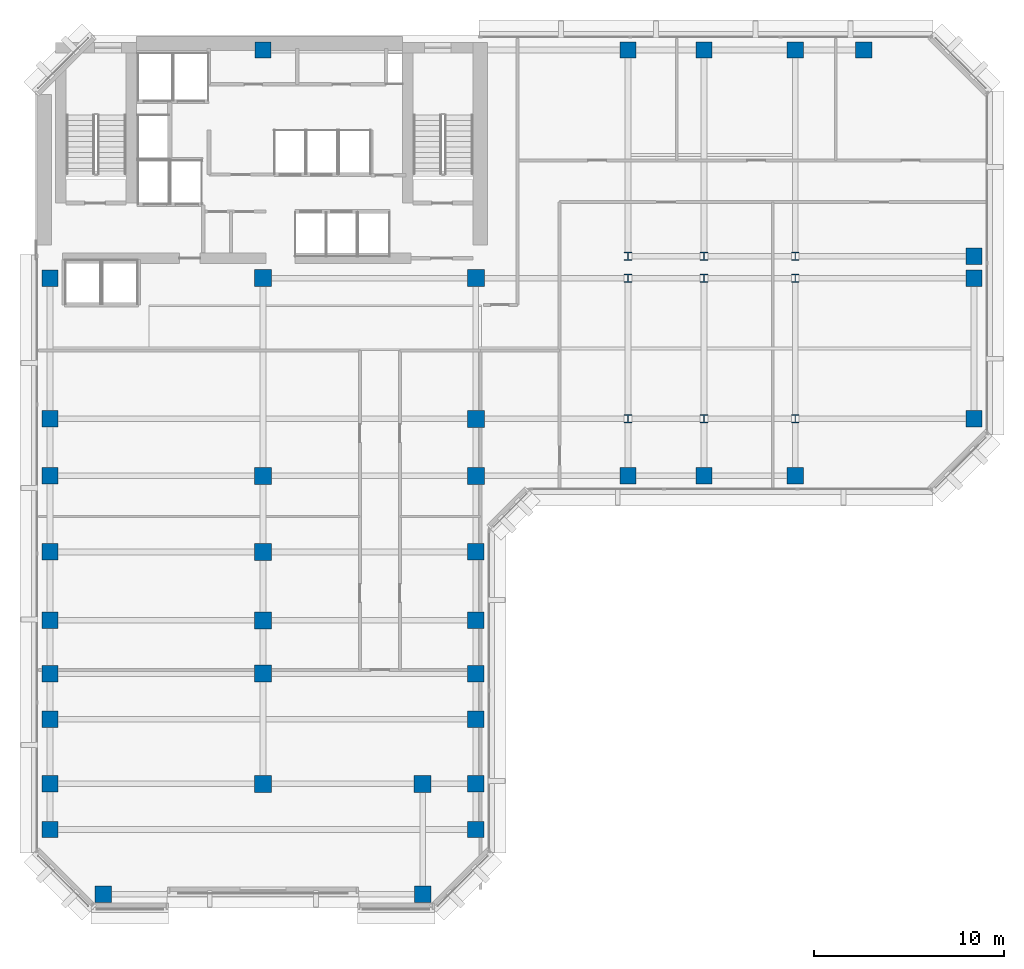
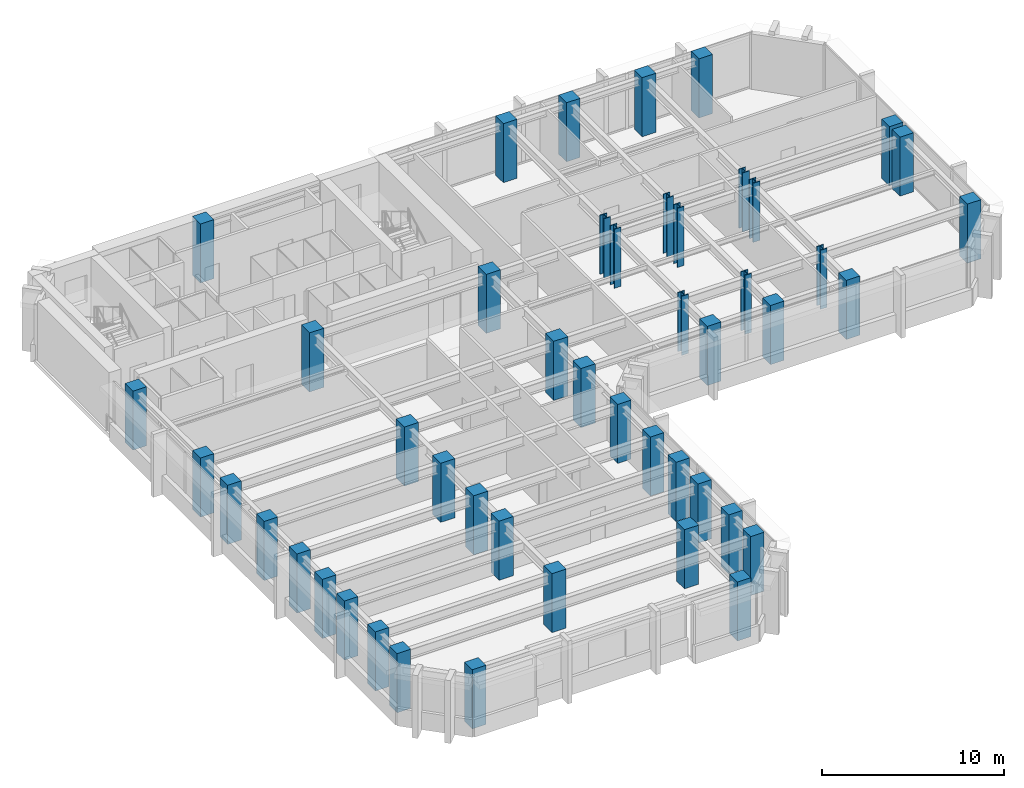
# One storey, part 1 of 11: 47 columns.
"""IFC4 building model written with IfcOpenShell, lengths in metres."""

import ifcopenshell
import ifcopenshell.guid

model = None  # the IFC model being written
_history = None  # IfcOwnerHistory: only IFC2X3 demands one
_inside = {}  # id of a spatial element -> (the spatial element, [elements in it])
_under = {}  # id of a project, library or spatial element -> (it, [spatial elements below it])
_declared = {}  # id of a project -> (the project, [libraries it declares])
_typed = {}  # id of a type object -> (the type object, [elements of that type])
_made_of = {}  # id of a material, layer set ... -> (it, [elements and type objects made of it])


def new_model(schema):
    """Start an empty IFC model of exactly this schema.

    Asked for "IFC4X3", IfcOpenShell would pick the latest addendum, in which some entities
    have other attributes; the version numbers below select the first issue.
    IFC2X3 requires an IfcOwnerHistory on every rooted entity: one is made here for all.
    """
    global model, _history
    if schema == "IFC4X3":
        model = ifcopenshell.file(schema_version=(4, 3, 0, 0))
    else:
        model = ifcopenshell.file(schema=schema)
    _inside.clear()
    _under.clear()
    _declared.clear()
    _typed.clear()
    _made_of.clear()
    _history = None
    if model.schema == "IFC2X3":
        org = make("IfcOrganization", Name="unknown")
        user = make(
            "IfcPersonAndOrganization",
            ThePerson=make("IfcPerson", FamilyName="unknown"),
            TheOrganization=org,
        )
        app = make(
            "IfcApplication",
            ApplicationDeveloper=org,
            Version="unknown",
            ApplicationFullName="unknown",
            ApplicationIdentifier="unknown",
        )
        _history = make(
            "IfcOwnerHistory",
            OwningUser=user,
            OwningApplication=app,
            ChangeAction="ADDED",
            CreationDate=0,
        )
    return model


def make(cls, **values):
    """One entity of the class cls with the attributes given. An attribute that is None is left unset."""
    return model.create_entity(
        cls, **{name: value for name, value in values.items() if value is not None}
    )


def rooted(cls, **values):
    """An entity with a GlobalId (a new one), such as an element, a storey or a relation."""
    return make(cls, GlobalId=ifcopenshell.guid.new(), OwnerHistory=_history, **values)


def si_unit(unit_type, name, prefix=None):
    """IfcSIUnit, for example si_unit("LENGTHUNIT", "METRE", prefix="MILLI")."""
    return make("IfcSIUnit", UnitType=unit_type, Prefix=prefix, Name=name)


def assignment(units):
    """IfcUnitAssignment: the units of a project."""
    return None if units is None else make("IfcUnitAssignment", Units=units)


def point(xyz):
    """IfcCartesianPoint."""
    return None if xyz is None else make("IfcCartesianPoint", Coordinates=xyz)


def direction(xyz):
    """IfcDirection."""
    return None if xyz is None else make("IfcDirection", DirectionRatios=xyz)


def frame(location, z_axis=None, x_axis=None):
    """IfcAxis2Placement3D, a coordinate frame: its origin and axes. An axis left out is left unset."""
    return make(
        "IfcAxis2Placement3D",
        Location=point(location),
        Axis=direction(z_axis),
        RefDirection=direction(x_axis),
    )


def frame_2d(location, x_axis=None):
    """IfcAxis2Placement2D, a coordinate frame in the plane: its origin and x axis."""
    return make(
        "IfcAxis2Placement2D", Location=point(location), RefDirection=direction(x_axis)
    )


def origin():
    """The frame at (0, 0, 0) with its axes left unset."""
    return frame((0.0, 0.0, 0.0))


def origin_2d():
    """The frame at (0, 0) in the plane with its x axis left unset."""
    return frame_2d((0.0, 0.0))


def place(relative_to, where):
    """IfcLocalPlacement: puts the frame where relative to a parent placement (None: the world)."""
    return make(
        "IfcLocalPlacement", PlacementRelTo=relative_to, RelativePlacement=where
    )


def context(
    kind, dimensions, precision=None, world=None, true_north=None, identifier=None
):
    """IfcGeometricRepresentationContext, for example the 3D "Model" context."""
    return make(
        "IfcGeometricRepresentationContext",
        ContextIdentifier=identifier,
        ContextType=kind,
        CoordinateSpaceDimension=dimensions,
        Precision=precision,
        WorldCoordinateSystem=world,
        TrueNorth=true_north,
    )


def subcontext(parent, identifier, kind, view, scale=None):
    """IfcGeometricRepresentationSubContext, for example "Body" below "Model"."""
    return make(
        "IfcGeometricRepresentationSubContext",
        ContextIdentifier=identifier,
        ContextType=kind,
        ParentContext=parent,
        TargetScale=scale,
        TargetView=view,
    )


def project(units=None, contexts=None):
    """IfcProject with its units and contexts."""
    return rooted(
        "IfcProject",
        Name="project",
        RepresentationContexts=contexts,
        UnitsInContext=assignment(units),
    )


def spatial(cls, under=None, at=None, **own):
    """A site, building, storey or space (cls), placed at a placement, below another one or the project."""
    s = rooted(cls, ObjectPlacement=at, **own)
    if under is not None:
        _under.setdefault(under.id(), (under, []))[1].append(s)
    return s


def profile(cls, at=None, kind="AREA", **sizes):
    """A parametric profile (cls). Its sizes go by their IFC names, for example OverallWidth=200.0."""
    return make(cls, ProfileType=kind, Position=at, **sizes)


def rectangle(**sizes):
    """IfcRectangleProfileDef."""
    return profile("IfcRectangleProfileDef", **sizes)


def i_section(**sizes):
    """IfcIShapeProfileDef."""
    return profile("IfcIShapeProfileDef", **sizes)


def extrude(swept, where, along, depth):
    """IfcExtrudedAreaSolid: the profile swept, set in the frame where, extruded along a direction by depth."""
    return make(
        "IfcExtrudedAreaSolid",
        SweptArea=swept,
        Position=where,
        ExtrudedDirection=direction(along),
        Depth=depth,
    )


def shape(context_of_items, identifier, shape_type, items):
    """IfcShapeRepresentation: the items that make up one representation, for example the "Body"."""
    return make(
        "IfcShapeRepresentation",
        ContextOfItems=context_of_items,
        RepresentationIdentifier=identifier,
        RepresentationType=shape_type,
        Items=items,
    )


def material(Name=None, Category=None):
    """IfcMaterial."""
    return make("IfcMaterial", Name=Name, Category=Category)


def material_profile(
    of_material, cross_section, Name=None, Category=None, Priority=None
):
    """IfcMaterialProfile: a cross section and its material."""
    return make(
        "IfcMaterialProfile",
        Name=Name,
        Material=of_material,
        Profile=cross_section,
        Priority=Priority,
        Category=Category,
    )


def profile_set(profiles, Name=None, composite=None):
    """IfcMaterialProfileSet."""
    return make(
        "IfcMaterialProfileSet",
        Name=Name,
        MaterialProfiles=profiles,
        CompositeProfile=composite,
    )


def made_of(thing, what):
    """Note that an element or type object is made of a material, layer set ...; save() writes the relation."""
    if what is not None:
        _made_of.setdefault(what.id(), (what, []))[1].append(thing)
    return thing


def type_object(cls, material=None, **own):
    """A type object (cls), such as IfcWallType, which elements share."""
    return made_of(rooted(cls, **own), material)


def element(
    cls,
    number,
    at=None,
    inside=None,
    cuts=None,
    type_object=None,
    material=None,
    context=None,
    identifier="Body",
    shape_type=None,
    held_by="IfcProductDefinitionShape",
    body=None,
    shapes=None,
    **own,
):
    """One element of the class cls, such as IfcWall. Its Tag is "e" and its number.

    at: its placement. inside: the storey or other place that contains it. cuts: it is an
    opening in that element (IfcRelVoidsElement). A single representation is given by context,
    identifier, shape_type and body (its items); several are given by shapes. held_by: the class
    of the entity that holds the representations. save() writes the other relations.
    """
    e = rooted(cls, Tag="e%d" % number, ObjectPlacement=at, **own)
    if body is not None:
        shapes = [shape(context, identifier, shape_type, body)]
    if shapes is not None:
        e.Representation = make(held_by, Representations=shapes)
    if inside is not None:
        _inside.setdefault(inside.id(), (inside, []))[1].append(e)
    if cuts is not None:
        rooted(
            "IfcRelVoidsElement", RelatingBuildingElement=cuts, RelatedOpeningElement=e
        )
    if type_object is not None:
        _typed.setdefault(type_object.id(), (type_object, []))[1].append(e)
    return made_of(e, material)


def aggregate(whole, parts):
    """IfcRelAggregates: a whole, such as a stair, and the parts it consists of."""
    return rooted("IfcRelAggregates", RelatingObject=whole, RelatedObjects=parts)


def save(model, path):
    """Write the relations noted so far, then the file.

    IfcRelAggregates (storeys below a building ...), IfcRelContainedInSpatialStructure (elements
    in a storey), IfcRelDefinesByType, IfcRelAssociatesMaterial and IfcRelDeclares: one each for
    every whole, place, type object, material and project.
    """
    for whole, parts in _under.values():
        aggregate(whole, parts)
    for where, things in _inside.values():
        rooted(
            "IfcRelContainedInSpatialStructure",
            RelatedElements=things,
            RelatingStructure=where,
        )
    for kind, things in _typed.values():
        rooted("IfcRelDefinesByType", RelatedObjects=things, RelatingType=kind)
    for what, things in _made_of.values():
        rooted("IfcRelAssociatesMaterial", RelatedObjects=things, RelatingMaterial=what)
    for by, libraries in _declared.values():
        rooted("IfcRelDeclares", RelatingContext=by, RelatedDefinitions=libraries)
    model.write(path)


model = new_model("IFC4")

# Units and contexts
model_context = context("Model", 3, precision=1e-05, world=origin(), true_north=direction((0.0, 1.0)))
body_context = subcontext(model_context, "Body", "Model", "MODEL_VIEW")
ifc_project = project(units=[si_unit("LENGTHUNIT", "METRE"), si_unit("AREAUNIT", "SQUARE_METRE"), si_unit("VOLUMEUNIT", "CUBIC_METRE"), si_unit("PLANEANGLEUNIT", "RADIAN"), si_unit("MASSUNIT", "GRAM", prefix="KILO")], contexts=[model_context])

# Site, building, storey
site_placement = place(None, origin())
site = spatial("IfcSite", under=ifc_project, at=site_placement, CompositionType="ELEMENT")
building_placement = place(site_placement, origin())
building = spatial("IfcBuilding", under=site, at=building_placement, Name="Kefirva Bronze Tower", CompositionType="ELEMENT")
storey_placement = place(building_placement, frame((0.0, 0.0, 183.47998046875)))
storey = spatial("IfcBuildingStorey", under=building, at=storey_placement, Name="L44", CompositionType="ELEMENT", Elevation=183.47998046875)

# Columns
ifc_material_1 = material(Name="Concrete C60/75", Category="concrete")
ifc_material_profile_1 = material_profile(ifc_material_1, rectangle(XDim=0.860107421875, YDim=0.860107421875, at=origin_2d()), Name="RC 860x860")
ifc_profile_set_1 = profile_set([ifc_material_profile_1], Name="Concrete C60/75")
column_type_1 = type_object("IfcColumnType", Name="RC Column 860x860 Ext", PredefinedType="COLUMN", material=ifc_profile_set_1)
for number, where, z_axis, x_axis, name in (
    (1, (0.800048828125, 4.199951171875, 0.0), (0.0, 0.0, 1.0), (1.0, 0.0, 0.0), "L44 Column C008_042"),
    (2, (0.800048828125, 6.60009765625, 0.0), (0.0, 0.0, 1.0), (1.0, 0.0, 0.0), "L44 Column C008_066"),
    (3, (0.800048828125, 10.0, 0.0), (0.0, 0.0, 1.0), (1.0, 0.0, 0.0), "L44 Column C008_100"),
    (4, (0.800048828125, 12.39990234375, 0.0), (0.0, 0.0, 1.0), (1.0, 0.0, 0.0), "L44 Column C008_124"),
    (5, (0.800048828125, 15.199951171875, 0.0), (0.0, 0.0, 1.0), (1.0, 0.0, 0.0), "L44 Column C008_152"),
    (6, (0.800048828125, 18.800048828125, 0.0), (0.0, 0.0, 1.0), (1.0, 0.0, 0.0), "L44 Column C008_188"),
    (7, (0.800048828125, 22.800048828125, 0.0), (0.0, 0.0, 1.0), (1.0, 0.0, 0.0), "L44 Column C008_228"),
    (8, (0.800048828125, 25.800048828125, 0.0), (0.0, 0.0, 1.0), (1.0, 0.0, 0.0), "L44 Column C008_258"),
    (9, (0.800048828125, 33.199951171875, 0.0), (0.0, 0.0, 1.0), (1.0, 0.0, 0.0), "L44 Column C008_332"),
    (10, (3.60009765625, 0.800048828125, 0.0), (0.0, 0.0, 1.0), (1.0, 0.0, 0.0), "L44 Column C036_008"),
    (11, (12.0, 45.199951171875, 0.0), (0.0, 0.0, 1.0), (1.0, 0.0, 0.0), "L44 Column C120_452"),
    (12, (20.39990234375, 0.800048828125, 0.0), (0.0, 0.0, 1.0), (1.0, 0.0, 0.0), "L44 Column C204_008"),
    (13, (23.199951171875, 4.199951171875, 0.0), (0.0, 0.0, 1.0), (1.0, 0.0, 0.0), "L44 Column C232_042"),
    (14, (23.199951171875, 6.60009765625, 0.0), (0.0, 0.0, 1.0), (1.0, 0.0, 0.0), "L44 Column C232_066"),
    (15, (23.199951171875, 10.0, 0.0), (0.0, 0.0, 1.0), (1.0, 0.0, 0.0), "L44 Column C232_100"),
    (16, (23.199951171875, 12.39990234375, 0.0), (0.0, 0.0, 1.0), (1.0, 0.0, 0.0), "L44 Column C232_124"),
    (17, (23.199951171875, 15.199951171875, 0.0), (0.0, 0.0, 1.0), (1.0, 0.0, 0.0), "L44 Column C232_152"),
    (18, (23.199951171875, 18.800048828125, 0.0), (0.0, 0.0, 1.0), (1.0, 0.0, 0.0), "L44 Column C232_188"),
    (19, (31.199951171875, 22.800048828125, 0.0), (0.0, 0.0, 1.0), (1.0, 0.0, 0.0), "L44 Column C312_228"),
    (20, (31.199951171875, 45.199951171875, 0.0), (0.0, 0.0, 1.0), (1.0, 0.0, 0.0), "L44 Column C312_452"),
    (21, (35.199951171875, 22.800048828125, 0.0), (0.0, 0.0, 1.0), (1.0, 0.0, 0.0), "L44 Column C352_228"),
    (22, (35.199951171875, 45.199951171875, 0.0), (0.0, 0.0, 1.0), (1.0, 0.0, 0.0), "L44 Column C352_452"),
    (23, (40.0, 22.800048828125, 0.0), (0.0, 0.0, 1.0), (1.0, 0.0, 0.0), "L44 Column C400_228"),
    (24, (40.0, 45.199951171875, 0.0), (0.0, 0.0, 1.0), (1.0, 0.0, 0.0), "L44 Column C400_452"),
    (25, (43.60009765625, 45.199951171875, 0.0), (0.0, 0.0, 1.0), (1.0, 0.0, 0.0), "L44 Column C436_452"),
    (26, (49.39990234375, 25.800048828125, 0.0), (0.0, 0.0, 1.0), (1.0, 0.0, 0.0), "L44 Column C494_258"),
    (27, (49.39990234375, 33.199951171875, 0.0), (0.0, 0.0, 1.0), (1.0, 0.0, 0.0), "L44 Column C494_332"),
    (28, (49.39990234375, 34.35009765625, 0.0), (0.0, 0.0, 1.0), (1.0, 0.0, 0.0), "L44 Column C494_344"),
):
    element("IfcColumn", number, at=place(storey_placement, frame(where, z_axis=z_axis, x_axis=x_axis)), inside=storey, type_object=column_type_1, Name=name, PredefinedType="COLUMN", context=body_context, shape_type="SweptSolid", body=[
        extrude(rectangle(XDim=0.860107421875, YDim=0.860107421875, at=origin_2d()), origin(), (0.0, 0.0, 1.0), 3.9599609375),
    ])
ifc_material_profile_2 = material_profile(ifc_material_1, rectangle(XDim=0.89990234375, YDim=0.89990234375, at=origin_2d()), Name="RC 900x900")
ifc_profile_set_2 = profile_set([ifc_material_profile_2], Name="Concrete C60/75")
column_type_2 = type_object("IfcColumnType", Name="RC Column 900x900 Int", PredefinedType="COLUMN", material=ifc_profile_set_2)
for number, where, z_axis, x_axis, name in (
    (29, (12.0, 6.60009765625, 0.0), (0.0, 0.0, 1.0), (1.0, 0.0, 0.0), "L44 Column C120_066"),
    (30, (12.0, 12.39990234375, 0.0), (0.0, 0.0, 1.0), (1.0, 0.0, 0.0), "L44 Column C120_124"),
    (31, (12.0, 15.199951171875, 0.0), (0.0, 0.0, 1.0), (1.0, 0.0, 0.0), "L44 Column C120_152"),
    (32, (12.0, 18.800048828125, 0.0), (0.0, 0.0, 1.0), (1.0, 0.0, 0.0), "L44 Column C120_188"),
    (33, (12.0, 22.800048828125, 0.0), (0.0, 0.0, 1.0), (1.0, 0.0, 0.0), "L44 Column C120_228"),
    (34, (12.0, 33.199951171875, 0.0), (0.0, 0.0, 1.0), (1.0, 0.0, 0.0), "L44 Column C120_332"),
    (35, (20.39990234375, 6.60009765625, 0.0), (0.0, 0.0, 1.0), (1.0, 0.0, 0.0), "L44 Column C204_066"),
    (36, (23.199951171875, 22.800048828125, 0.0), (0.0, 0.0, 1.0), (1.0, 0.0, 0.0), "L44 Column C232_228"),
    (37, (23.199951171875, 25.800048828125, 0.0), (0.0, 0.0, 1.0), (1.0, 0.0, 0.0), "L44 Column C232_258"),
    (38, (23.199951171875, 33.199951171875, 0.0), (0.0, 0.0, 1.0), (1.0, 0.0, 0.0), "L44 Column C232_332"),
):
    element("IfcColumn", number, at=place(storey_placement, frame(where, z_axis=z_axis, x_axis=x_axis)), inside=storey, type_object=column_type_2, Name=name, PredefinedType="COLUMN", context=body_context, shape_type="SweptSolid", body=[
        extrude(rectangle(XDim=0.89990234375, YDim=0.89990234375, at=origin_2d()), origin(), (0.0, 0.0, 1.0), 3.9599609375),
    ])
ifc_material_2 = material(Name="Steel S460", Category="steel")
ifc_material_profile_3 = material_profile(ifc_material_2, i_section(OverallWidth=0.41796875, OverallDepth=0.455078125, WebThickness=0.031982421875, FlangeThickness=0.051025390625, at=origin_2d()), Name="HD 400x551")
ifc_profile_set_3 = profile_set([ifc_material_profile_3], Name="Steel S460")
column_type_3 = type_object("IfcColumnType", Name="Steel Column HD 400x551", PredefinedType="COLUMN", material=ifc_profile_set_3)
for number, where, z_axis, x_axis, name in (
    (39, (31.199951171875, 25.800048828125, 0.0), (0.0, 0.0, 1.0), (1.0, 0.0, 0.0), "L44 Column C312_258"),
    (40, (31.199951171875, 33.199951171875, 0.0), (0.0, 0.0, 1.0), (1.0, 0.0, 0.0), "L44 Column C312_332"),
    (41, (31.199951171875, 34.35009765625, 0.0), (0.0, 0.0, 1.0), (1.0, 0.0, 0.0), "L44 Column C312_344"),
    (42, (35.199951171875, 25.800048828125, 0.0), (0.0, 0.0, 1.0), (1.0, 0.0, 0.0), "L44 Column C352_258"),
    (43, (35.199951171875, 33.199951171875, 0.0), (0.0, 0.0, 1.0), (1.0, 0.0, 0.0), "L44 Column C352_332"),
    (44, (35.199951171875, 34.35009765625, 0.0), (0.0, 0.0, 1.0), (1.0, 0.0, 0.0), "L44 Column C352_344"),
    (45, (40.0, 25.800048828125, 0.0), (0.0, 0.0, 1.0), (1.0, 0.0, 0.0), "L44 Column C400_258"),
    (46, (40.0, 33.199951171875, 0.0), (0.0, 0.0, 1.0), (1.0, 0.0, 0.0), "L44 Column C400_332"),
    (47, (40.0, 34.35009765625, 0.0), (0.0, 0.0, 1.0), (1.0, 0.0, 0.0), "L44 Column C400_344"),
):
    element("IfcColumn", number, at=place(storey_placement, frame(where, z_axis=z_axis, x_axis=x_axis)), inside=storey, type_object=column_type_3, Name=name, PredefinedType="COLUMN", context=body_context, shape_type="SweptSolid", body=[
        extrude(i_section(OverallWidth=0.41796875, OverallDepth=0.455078125, WebThickness=0.031982421875, FlangeThickness=0.051025390625, at=origin_2d()), origin(), (0.0, 0.0, 1.0), 3.9599609375),
    ])

save(model, "model.ifc")
